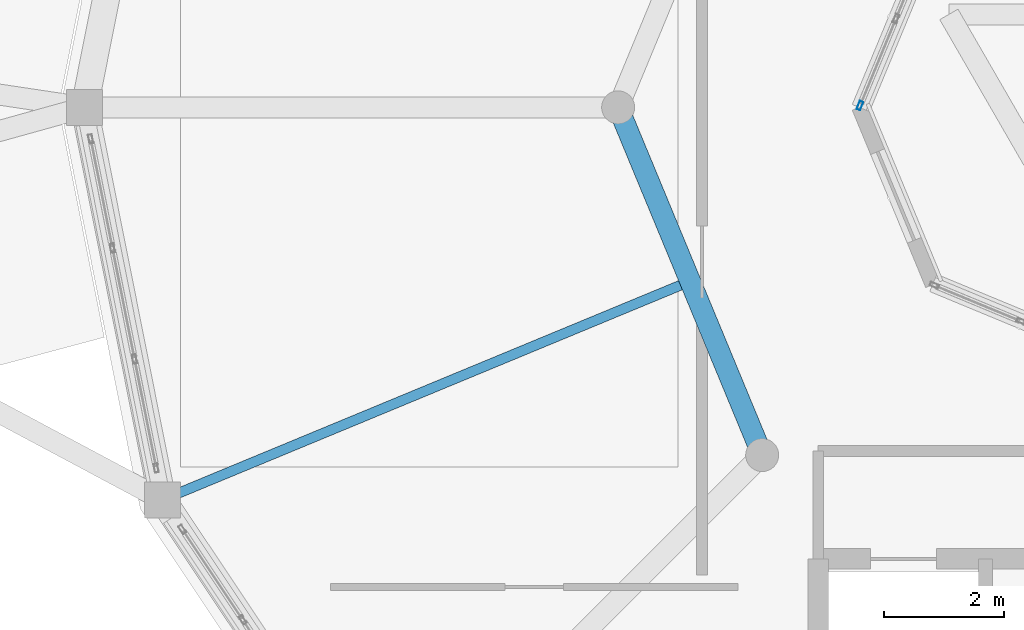
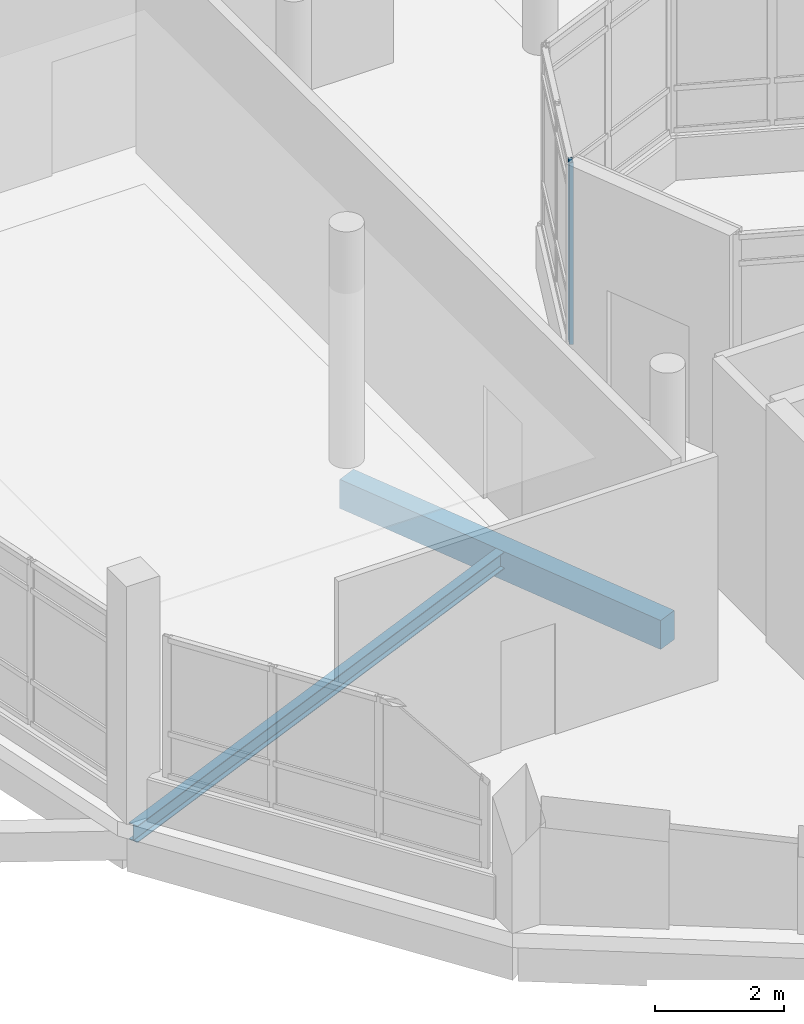
# One storey, part 68 of 129: 2 beams, 1 member, 1 element without a shape of its own.
"""IFC4 building model written with IfcOpenShell, lengths in metres."""

import ifcopenshell
import ifcopenshell.guid

model = None  # the IFC model being written
_history = None  # IfcOwnerHistory: only IFC2X3 demands one
_inside = {}  # id of a spatial element -> (the spatial element, [elements in it])
_under = {}  # id of a project, library or spatial element -> (it, [spatial elements below it])
_declared = {}  # id of a project -> (the project, [libraries it declares])
_typed = {}  # id of a type object -> (the type object, [elements of that type])
_made_of = {}  # id of a material, layer set ... -> (it, [elements and type objects made of it])


def new_model(schema):
    """Start an empty IFC model of exactly this schema.

    Asked for "IFC4X3", IfcOpenShell would pick the latest addendum, in which some entities
    have other attributes; the version numbers below select the first issue.
    IFC2X3 requires an IfcOwnerHistory on every rooted entity: one is made here for all.
    """
    global model, _history
    if schema == "IFC4X3":
        model = ifcopenshell.file(schema_version=(4, 3, 0, 0))
    else:
        model = ifcopenshell.file(schema=schema)
    _inside.clear()
    _under.clear()
    _declared.clear()
    _typed.clear()
    _made_of.clear()
    _history = None
    if model.schema == "IFC2X3":
        org = make("IfcOrganization", Name="unknown")
        user = make(
            "IfcPersonAndOrganization",
            ThePerson=make("IfcPerson", FamilyName="unknown"),
            TheOrganization=org,
        )
        app = make(
            "IfcApplication",
            ApplicationDeveloper=org,
            Version="unknown",
            ApplicationFullName="unknown",
            ApplicationIdentifier="unknown",
        )
        _history = make(
            "IfcOwnerHistory",
            OwningUser=user,
            OwningApplication=app,
            ChangeAction="ADDED",
            CreationDate=0,
        )
    return model


def make(cls, **values):
    """One entity of the class cls with the attributes given. An attribute that is None is left unset."""
    return model.create_entity(
        cls, **{name: value for name, value in values.items() if value is not None}
    )


def rooted(cls, **values):
    """An entity with a GlobalId (a new one), such as an element, a storey or a relation."""
    return make(cls, GlobalId=ifcopenshell.guid.new(), OwnerHistory=_history, **values)


def si_unit(unit_type, name, prefix=None):
    """IfcSIUnit, for example si_unit("LENGTHUNIT", "METRE", prefix="MILLI")."""
    return make("IfcSIUnit", UnitType=unit_type, Prefix=prefix, Name=name)


def assignment(units):
    """IfcUnitAssignment: the units of a project."""
    return None if units is None else make("IfcUnitAssignment", Units=units)


def point(xyz):
    """IfcCartesianPoint."""
    return None if xyz is None else make("IfcCartesianPoint", Coordinates=xyz)


def direction(xyz):
    """IfcDirection."""
    return None if xyz is None else make("IfcDirection", DirectionRatios=xyz)


def frame(location, z_axis=None, x_axis=None):
    """IfcAxis2Placement3D, a coordinate frame: its origin and axes. An axis left out is left unset."""
    return make(
        "IfcAxis2Placement3D",
        Location=point(location),
        Axis=direction(z_axis),
        RefDirection=direction(x_axis),
    )


def frame_2d(location, x_axis=None):
    """IfcAxis2Placement2D, a coordinate frame in the plane: its origin and x axis."""
    return make(
        "IfcAxis2Placement2D", Location=point(location), RefDirection=direction(x_axis)
    )


def origin():
    """The frame at (0, 0, 0) with its axes left unset."""
    return frame((0.0, 0.0, 0.0))


def origin_2d():
    """The frame at (0, 0) in the plane with its x axis left unset."""
    return frame_2d((0.0, 0.0))


def place(relative_to, where):
    """IfcLocalPlacement: puts the frame where relative to a parent placement (None: the world)."""
    return make(
        "IfcLocalPlacement", PlacementRelTo=relative_to, RelativePlacement=where
    )


def context(
    kind, dimensions, precision=None, world=None, true_north=None, identifier=None
):
    """IfcGeometricRepresentationContext, for example the 3D "Model" context."""
    return make(
        "IfcGeometricRepresentationContext",
        ContextIdentifier=identifier,
        ContextType=kind,
        CoordinateSpaceDimension=dimensions,
        Precision=precision,
        WorldCoordinateSystem=world,
        TrueNorth=true_north,
    )


def subcontext(parent, identifier, kind, view, scale=None):
    """IfcGeometricRepresentationSubContext, for example "Body" below "Model"."""
    return make(
        "IfcGeometricRepresentationSubContext",
        ContextIdentifier=identifier,
        ContextType=kind,
        ParentContext=parent,
        TargetScale=scale,
        TargetView=view,
    )


def project(units=None, contexts=None):
    """IfcProject with its units and contexts."""
    return rooted(
        "IfcProject",
        Name="project",
        RepresentationContexts=contexts,
        UnitsInContext=assignment(units),
    )


def spatial(cls, under=None, at=None, **own):
    """A site, building, storey or space (cls), placed at a placement, below another one or the project."""
    s = rooted(cls, ObjectPlacement=at, **own)
    if under is not None:
        _under.setdefault(under.id(), (under, []))[1].append(s)
    return s


def profile(cls, at=None, kind="AREA", **sizes):
    """A parametric profile (cls). Its sizes go by their IFC names, for example OverallWidth=200.0."""
    return make(cls, ProfileType=kind, Position=at, **sizes)


def rectangle(**sizes):
    """IfcRectangleProfileDef."""
    return profile("IfcRectangleProfileDef", **sizes)


def hollow_rectangle(**sizes):
    """IfcRectangleHollowProfileDef."""
    return profile("IfcRectangleHollowProfileDef", **sizes)


def i_section(**sizes):
    """IfcIShapeProfileDef."""
    return profile("IfcIShapeProfileDef", **sizes)


def extrude(swept, where, along, depth):
    """IfcExtrudedAreaSolid: the profile swept, set in the frame where, extruded along a direction by depth."""
    return make(
        "IfcExtrudedAreaSolid",
        SweptArea=swept,
        Position=where,
        ExtrudedDirection=direction(along),
        Depth=depth,
    )


def shape(context_of_items, identifier, shape_type, items):
    """IfcShapeRepresentation: the items that make up one representation, for example the "Body"."""
    return make(
        "IfcShapeRepresentation",
        ContextOfItems=context_of_items,
        RepresentationIdentifier=identifier,
        RepresentationType=shape_type,
        Items=items,
    )


def material(Name=None, Category=None):
    """IfcMaterial."""
    return make("IfcMaterial", Name=Name, Category=Category)


def layer(
    of_material, thickness, ventilated=None, Name=None, Category=None, Priority=None
):
    """IfcMaterialLayer: one layer of a wall or slab, of a material (None: an air gap)."""
    return make(
        "IfcMaterialLayer",
        Material=of_material,
        LayerThickness=thickness,
        IsVentilated=ventilated,
        Name=Name,
        Category=Category,
        Priority=Priority,
    )


def layer_set(layers, Name=None):
    """IfcMaterialLayerSet."""
    return make("IfcMaterialLayerSet", MaterialLayers=layers, LayerSetName=Name)


def material_profile(
    of_material, cross_section, Name=None, Category=None, Priority=None
):
    """IfcMaterialProfile: a cross section and its material."""
    return make(
        "IfcMaterialProfile",
        Name=Name,
        Material=of_material,
        Profile=cross_section,
        Priority=Priority,
        Category=Category,
    )


def profile_set(profiles, Name=None, composite=None):
    """IfcMaterialProfileSet."""
    return make(
        "IfcMaterialProfileSet",
        Name=Name,
        MaterialProfiles=profiles,
        CompositeProfile=composite,
    )


def made_of(thing, what):
    """Note that an element or type object is made of a material, layer set ...; save() writes the relation."""
    if what is not None:
        _made_of.setdefault(what.id(), (what, []))[1].append(thing)
    return thing


def type_object(cls, material=None, **own):
    """A type object (cls), such as IfcWallType, which elements share."""
    return made_of(rooted(cls, **own), material)


def element(
    cls,
    number,
    at=None,
    inside=None,
    cuts=None,
    type_object=None,
    material=None,
    context=None,
    identifier="Body",
    shape_type=None,
    held_by="IfcProductDefinitionShape",
    body=None,
    shapes=None,
    **own,
):
    """One element of the class cls, such as IfcWall. Its Tag is "e" and its number.

    at: its placement. inside: the storey or other place that contains it. cuts: it is an
    opening in that element (IfcRelVoidsElement). A single representation is given by context,
    identifier, shape_type and body (its items); several are given by shapes. held_by: the class
    of the entity that holds the representations. save() writes the other relations.
    """
    e = rooted(cls, Tag="e%d" % number, ObjectPlacement=at, **own)
    if body is not None:
        shapes = [shape(context, identifier, shape_type, body)]
    if shapes is not None:
        e.Representation = make(held_by, Representations=shapes)
    if inside is not None:
        _inside.setdefault(inside.id(), (inside, []))[1].append(e)
    if cuts is not None:
        rooted(
            "IfcRelVoidsElement", RelatingBuildingElement=cuts, RelatedOpeningElement=e
        )
    if type_object is not None:
        _typed.setdefault(type_object.id(), (type_object, []))[1].append(e)
    return made_of(e, material)


def aggregate(whole, parts):
    """IfcRelAggregates: a whole, such as a stair, and the parts it consists of."""
    return rooted("IfcRelAggregates", RelatingObject=whole, RelatedObjects=parts)


def save(model, path):
    """Write the relations noted so far, then the file.

    IfcRelAggregates (storeys below a building ...), IfcRelContainedInSpatialStructure (elements
    in a storey), IfcRelDefinesByType, IfcRelAssociatesMaterial and IfcRelDeclares: one each for
    every whole, place, type object, material and project.
    """
    for whole, parts in _under.values():
        aggregate(whole, parts)
    for where, things in _inside.values():
        rooted(
            "IfcRelContainedInSpatialStructure",
            RelatedElements=things,
            RelatingStructure=where,
        )
    for kind, things in _typed.values():
        rooted("IfcRelDefinesByType", RelatedObjects=things, RelatingType=kind)
    for what, things in _made_of.values():
        rooted("IfcRelAssociatesMaterial", RelatedObjects=things, RelatingMaterial=what)
    for by, libraries in _declared.values():
        rooted("IfcRelDeclares", RelatingContext=by, RelatedDefinitions=libraries)
    model.write(path)


model = new_model("IFC4")

# Units and contexts
model_context = context("Model", 3, precision=1e-05, world=origin(), true_north=direction((0.0, 1.0)))
body_context = subcontext(model_context, "Body", "Model", "MODEL_VIEW")
ifc_project = project(units=[si_unit("LENGTHUNIT", "METRE"), si_unit("AREAUNIT", "SQUARE_METRE"), si_unit("VOLUMEUNIT", "CUBIC_METRE"), si_unit("PLANEANGLEUNIT", "RADIAN"), si_unit("MASSUNIT", "GRAM", prefix="KILO")], contexts=[model_context])

# Site, building, storey
site_placement = place(None, origin())
site = spatial("IfcSite", under=ifc_project, at=site_placement, CompositionType="ELEMENT")
building_placement = place(site_placement, origin())
building = spatial("IfcBuilding", under=site, at=building_placement, Name="Vespera Passage Community Centre", CompositionType="ELEMENT")
storey_placement = place(building_placement, origin())
storey = spatial("IfcBuildingStorey", under=building, at=storey_placement, Name="L00", CompositionType="ELEMENT", Elevation=0.0)

# Beams
ifc_material_1 = material(Name="Concrete f'c 35 MPa", Category="concrete")
ifc_material_profile_1 = material_profile(ifc_material_1, rectangle(XDim=0.35009765625, YDim=0.550048828125, at=origin_2d()), Name="RC350X550")
ifc_profile_set_1 = profile_set([ifc_material_profile_1], Name="Concrete f'c 35 MPa")
beam_type_1 = type_object("IfcBeamType", Name="BM-J-350X550", PredefinedType="JOIST", material=ifc_profile_set_1)
beam_1_placement = place(storey_placement, frame((132.800048828125, 25.0, -0.554931640625), z_axis=(0.382664436252, -0.92388740073, 0.0), x_axis=(0.92388740073, 0.382664436252, 0.0)))
element("IfcBeam", 1, at=beam_1_placement, inside=storey, type_object=beam_type_1, Name="V3 L00 Inner Ring Beam 5", PredefinedType="JOIST", context=body_context, shape_type="SweptSolid", body=[
    extrude(rectangle(XDim=0.35009765625, YDim=0.550048828125, at=origin_2d()), origin(), (0.0, 0.0, 1.0), 6.276123046875),
])
ifc_material_2 = material(Name="Steel ASTM A992 Grade 50", Category="steel")
ifc_material_profile_2 = material_profile(ifc_material_2, i_section(OverallWidth=0.16650390625, OverallDepth=0.3173828125, WebThickness=0.007568359375, FlangeThickness=0.01318359375, FilletRadius=0.007568359375, at=origin_2d()), Name="W12X35")
ifc_profile_set_2 = profile_set([ifc_material_profile_2], Name="Steel ASTM A992 Grade 50")
beam_type_2 = type_object("IfcBeamType", Name="BM-J-W12X35", PredefinedType="JOIST", material=ifc_profile_set_2)
beam_2_placement = place(storey_placement, frame((134.0009765625, 22.100830078125, -0.438720703125), z_axis=(-0.923880304795, -0.382681567901, 0.0), x_axis=(0.382681567901, -0.923880304795, 0.0)))
element("IfcBeam", 2, at=beam_2_placement, inside=storey, type_object=beam_type_2, Name="V3 L00 Secondary Joist 5", PredefinedType="JOIST", context=body_context, shape_type="SweptSolid", body=[
    extrude(i_section(OverallWidth=0.16650390625, OverallDepth=0.3173828125, WebThickness=0.007568359375, FlangeThickness=0.01318359375, FilletRadius=0.007568359375, at=origin_2d()), origin(), (0.0, 0.0, 1.0), 9.5244140625),
])

# Curtain wall, member
ifc_material_3 = material(Name="Anodized aluminium 6063-T6", Category="aluminium")
ifc_layer = layer(ifc_material_3, 0.159912109375)
ifc_layer_set = layer_set([ifc_layer], Name="Anodized aluminium 6063-T6")
curtain_wall_type = type_object("IfcCurtainWallType", Name="CW-104E", PredefinedType="NOTDEFINED", material=ifc_layer_set)
curtain_wall_placement = place(storey_placement, origin())
curtain_wall = element("IfcCurtainWall", 3, at=curtain_wall_placement, inside=storey, type_object=curtain_wall_type, Name="V3 L00 Inner Court Ribbon Curtain Wall 4", PredefinedType="NOTDEFINED")
ifc_material_4 = material(Name="Anodized aluminium 6063-T6", Category="aluminium")
ifc_material_profile_3 = material_profile(ifc_material_4, hollow_rectangle(XDim=0.06494140625, YDim=0.14990234375, WallThickness=0.00390625, InnerFilletRadius=0.001953125, OuterFilletRadius=0.00390625, at=origin_2d()), Name="ALU150X65X4")
ifc_profile_set_3 = profile_set([ifc_material_profile_3], Name="Anodized aluminium 6063-T6")
member_type = type_object("IfcMemberType", Name="MB-CWM-150E", PredefinedType="MULLION", material=ifc_profile_set_3)
member_placement = place(storey_placement, frame((136.83251953125, 25.030029296875, 0.800048828125), z_axis=(0.0, 0.0, 1.0), x_axis=(0.923878540804, -0.382685826549, 0.0)))
member = element("IfcMember", 4, at=member_placement, type_object=member_type, Name="CW-104E mullion 3", PredefinedType="MULLION", context=body_context, shape_type="SweptSolid", body=[
    extrude(hollow_rectangle(XDim=0.06494140625, YDim=0.14990234375, WallThickness=0.00390625, InnerFilletRadius=0.001953125, OuterFilletRadius=0.00390625, at=origin_2d()), origin(), (0.0, 0.0, 1.0), 3.43994140625),
])
aggregate(curtain_wall, [member])

save(model, "model.ifc")
